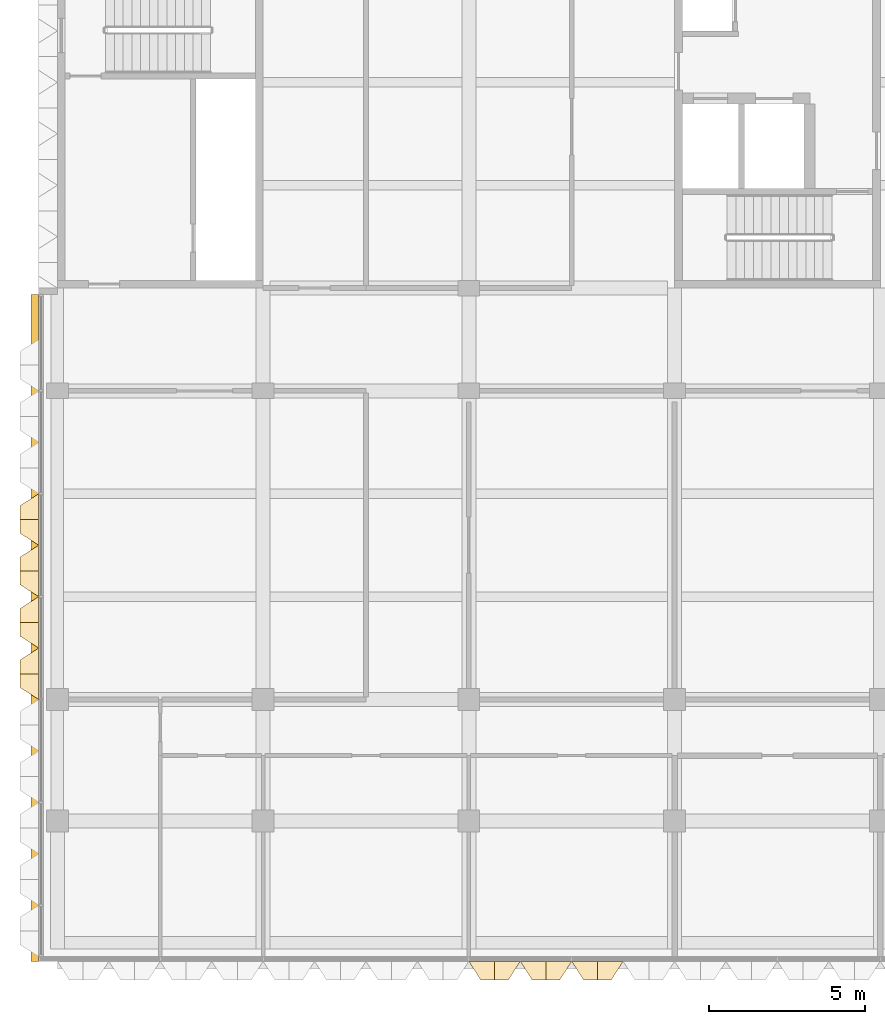
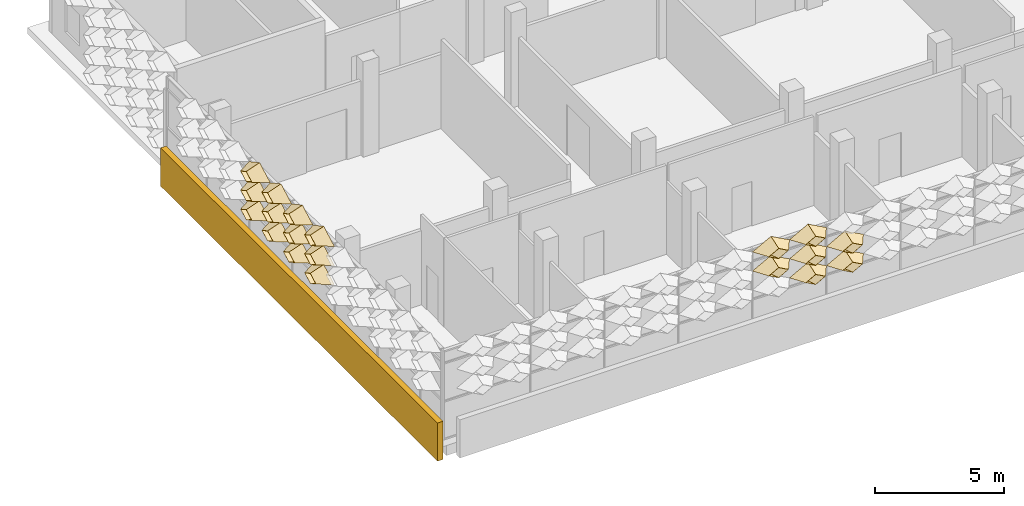
# One storey, part 39 of 85: 20 coverings.
"""IFC4 building model written with IfcOpenShell, lengths in metres."""

from ifc_helpers import new_model, entity, si_unit, direction, frame, frame_2d, origin, place, context, subcontext, project, spatial, rectangle, extrude, material, layer, layer_set, type_object, element, save


model = new_model("IFC4")

# Units and contexts
model_context = context("Model", 3, precision=1e-05, world=origin(), true_north=direction((0.0, 1.0)))
body_context = subcontext(model_context, "Body", "Model", "MODEL_VIEW")
ifc_project = project(units=[si_unit("LENGTHUNIT", "METRE"), si_unit("AREAUNIT", "SQUARE_METRE"), si_unit("VOLUMEUNIT", "CUBIC_METRE"), si_unit("PLANEANGLEUNIT", "RADIAN"), si_unit("MASSUNIT", "GRAM", prefix="KILO")], contexts=[model_context])

# Site, building, storey
site_placement = place(None, origin())
site = spatial("IfcSite", under=ifc_project, at=site_placement, CompositionType="ELEMENT")
building_placement = place(site_placement, origin())
building = spatial("IfcBuilding", under=site, at=building_placement, Name="Lantern Court Research Institute", CompositionType="ELEMENT")
storey_placement = place(building_placement, frame((0.0, 0.0, 18.89990234375)))
storey = spatial("IfcBuildingStorey", under=building, at=storey_placement, Name="L04", CompositionType="ELEMENT", Elevation=18.89990234375)

# Coverings
ifc_material_1 = material(Name="Anodised aluminium", Category="aluminium")
ifc_layer_1 = layer(ifc_material_1, 0.01611328125)
ifc_layer_set_1 = layer_set([ifc_layer_1], Name="Anodised aluminium")
covering_type_1 = type_object("IfcCoveringType", Name="Fin cassette 1650 x 900 x 600 aluminium", PredefinedType="CLADDING", material=ifc_layer_set_1)
covering_1_placement = place(storey_placement, frame((15.675048828125, -8.39990234375, 2.25), z_axis=(0.0, -1.0, 0.0), x_axis=(1.0, 0.0, 0.0)))
cartesian_point_1 = entity("IfcCartesianPoint", [0.824951171875, 0.0])
cartesian_point_2 = entity("IfcCartesianPoint", [0.79150390625, 0.0])
cartesian_point_3 = entity("IfcCartesianPoint", [0.44189453125, 0.0])
cartesian_point_4 = entity("IfcCartesianPoint", [0.43359375, 0.0])
element("IfcCovering", 1, at=covering_1_placement, inside=storey, type_object=covering_type_1, Name="Fin cassette V4S-L04 3.10", PredefinedType="CLADDING", context=body_context, shape_type="SweptSolid", body=[
    entity("IfcExtrudedAreaSolidTapered", entity("IfcArbitraryProfileDefWithVoids", "AREA", None, entity("IfcPolyline", [cartesian_point_1, entity("IfcCartesianPoint", [0.0, 0.449951171875]), entity("IfcCartesianPoint", [-0.824951171875, 0.0]), entity("IfcCartesianPoint", [0.0, -0.449951171875]), cartesian_point_1]), [entity("IfcPolyline", [cartesian_point_2, entity("IfcCartesianPoint", [0.0, 0.431884765625]), entity("IfcCartesianPoint", [-0.79150390625, 0.0]), entity("IfcCartesianPoint", [0.0, -0.431884765625]), cartesian_point_2])]), entity("IfcAxis2Placement3D", entity("IfcCartesianPoint", [0.0, 0.0, 0.0])), entity("IfcDirection", [0.0, 0.0, 1.0]), 0.60009765625, entity("IfcArbitraryProfileDefWithVoids", "AREA", None, entity("IfcPolyline", [cartesian_point_3, entity("IfcCartesianPoint", [0.0, 0.240966796875]), entity("IfcCartesianPoint", [-0.44189453125, 0.0]), entity("IfcCartesianPoint", [0.0, -0.240966796875]), cartesian_point_3]), [entity("IfcPolyline", [cartesian_point_4, entity("IfcCartesianPoint", [0.0, 0.236572265625]), entity("IfcCartesianPoint", [-0.43359375, 0.0]), entity("IfcCartesianPoint", [0.0, -0.236572265625]), cartesian_point_4])])),
])
covering_2_placement = place(storey_placement, frame((17.324951171875, -8.39990234375, 2.25), z_axis=(0.0, -1.0, 0.0), x_axis=(1.0, 0.0, 0.0)))
cartesian_point_5 = entity("IfcCartesianPoint", [0.824951171875, 0.0])
cartesian_point_6 = entity("IfcCartesianPoint", [0.79150390625, 0.0])
cartesian_point_7 = entity("IfcCartesianPoint", [0.44189453125, 0.0])
cartesian_point_8 = entity("IfcCartesianPoint", [0.43359375, 0.0])
element("IfcCovering", 2, at=covering_2_placement, inside=storey, type_object=covering_type_1, Name="Fin cassette V4S-L04 3.11", PredefinedType="CLADDING", context=body_context, shape_type="SweptSolid", body=[
    entity("IfcExtrudedAreaSolidTapered", entity("IfcArbitraryProfileDefWithVoids", "AREA", None, entity("IfcPolyline", [cartesian_point_5, entity("IfcCartesianPoint", [0.0, 0.449951171875]), entity("IfcCartesianPoint", [-0.824951171875, 0.0]), entity("IfcCartesianPoint", [0.0, -0.449951171875]), cartesian_point_5]), [entity("IfcPolyline", [cartesian_point_6, entity("IfcCartesianPoint", [0.0, 0.431884765625]), entity("IfcCartesianPoint", [-0.79150390625, 0.0]), entity("IfcCartesianPoint", [0.0, -0.431884765625]), cartesian_point_6])]), entity("IfcAxis2Placement3D", entity("IfcCartesianPoint", [0.0, 0.0, 0.0])), entity("IfcDirection", [0.0, 0.0, 1.0]), 0.60009765625, entity("IfcArbitraryProfileDefWithVoids", "AREA", None, entity("IfcPolyline", [cartesian_point_7, entity("IfcCartesianPoint", [0.0, 0.240966796875]), entity("IfcCartesianPoint", [-0.44189453125, 0.0]), entity("IfcCartesianPoint", [0.0, -0.240966796875]), cartesian_point_7]), [entity("IfcPolyline", [cartesian_point_8, entity("IfcCartesianPoint", [0.0, 0.236572265625]), entity("IfcCartesianPoint", [-0.43359375, 0.0]), entity("IfcCartesianPoint", [0.0, -0.236572265625]), cartesian_point_8])])),
])
covering_3_placement = place(storey_placement, frame((14.02490234375, -8.39990234375, 3.150146484375), z_axis=(0.0, -1.0, 0.0), x_axis=(1.0, 0.0, 0.0)))
cartesian_point_9 = entity("IfcCartesianPoint", [0.824951171875, 0.0])
cartesian_point_10 = entity("IfcCartesianPoint", [0.79150390625, 0.0])
cartesian_point_11 = entity("IfcCartesianPoint", [0.44189453125, 0.0])
cartesian_point_12 = entity("IfcCartesianPoint", [0.43359375, 0.0])
element("IfcCovering", 3, at=covering_3_placement, inside=storey, type_object=covering_type_1, Name="Fin cassette V4S-L04 4.9", PredefinedType="CLADDING", context=body_context, shape_type="SweptSolid", body=[
    entity("IfcExtrudedAreaSolidTapered", entity("IfcArbitraryProfileDefWithVoids", "AREA", None, entity("IfcPolyline", [cartesian_point_9, entity("IfcCartesianPoint", [0.0, 0.449951171875]), entity("IfcCartesianPoint", [-0.824951171875, 0.0]), entity("IfcCartesianPoint", [0.0, -0.449951171875]), cartesian_point_9]), [entity("IfcPolyline", [cartesian_point_10, entity("IfcCartesianPoint", [0.0, 0.431884765625]), entity("IfcCartesianPoint", [-0.79150390625, 0.0]), entity("IfcCartesianPoint", [0.0, -0.431884765625]), cartesian_point_10])]), entity("IfcAxis2Placement3D", entity("IfcCartesianPoint", [0.0, 0.0, 0.0])), entity("IfcDirection", [0.0, 0.0, 1.0]), 0.60009765625, entity("IfcArbitraryProfileDefWithVoids", "AREA", None, entity("IfcPolyline", [cartesian_point_11, entity("IfcCartesianPoint", [0.0, 0.240966796875]), entity("IfcCartesianPoint", [-0.44189453125, 0.0]), entity("IfcCartesianPoint", [0.0, -0.240966796875]), cartesian_point_11]), [entity("IfcPolyline", [cartesian_point_12, entity("IfcCartesianPoint", [0.0, 0.236572265625]), entity("IfcCartesianPoint", [-0.43359375, 0.0]), entity("IfcCartesianPoint", [0.0, -0.236572265625]), cartesian_point_12])])),
])
covering_4_placement = place(storey_placement, frame((15.675048828125, -8.39990234375, 3.150146484375), z_axis=(0.0, -1.0, 0.0), x_axis=(1.0, 0.0, 0.0)))
cartesian_point_13 = entity("IfcCartesianPoint", [0.824951171875, 0.0])
cartesian_point_14 = entity("IfcCartesianPoint", [0.79150390625, 0.0])
cartesian_point_15 = entity("IfcCartesianPoint", [0.44189453125, 0.0])
cartesian_point_16 = entity("IfcCartesianPoint", [0.43359375, 0.0])
element("IfcCovering", 4, at=covering_4_placement, inside=storey, type_object=covering_type_1, Name="Fin cassette V4S-L04 4.10", PredefinedType="CLADDING", context=body_context, shape_type="SweptSolid", body=[
    entity("IfcExtrudedAreaSolidTapered", entity("IfcArbitraryProfileDefWithVoids", "AREA", None, entity("IfcPolyline", [cartesian_point_13, entity("IfcCartesianPoint", [0.0, 0.449951171875]), entity("IfcCartesianPoint", [-0.824951171875, 0.0]), entity("IfcCartesianPoint", [0.0, -0.449951171875]), cartesian_point_13]), [entity("IfcPolyline", [cartesian_point_14, entity("IfcCartesianPoint", [0.0, 0.431884765625]), entity("IfcCartesianPoint", [-0.79150390625, 0.0]), entity("IfcCartesianPoint", [0.0, -0.431884765625]), cartesian_point_14])]), entity("IfcAxis2Placement3D", entity("IfcCartesianPoint", [0.0, 0.0, 0.0])), entity("IfcDirection", [0.0, 0.0, 1.0]), 0.60009765625, entity("IfcArbitraryProfileDefWithVoids", "AREA", None, entity("IfcPolyline", [cartesian_point_15, entity("IfcCartesianPoint", [0.0, 0.240966796875]), entity("IfcCartesianPoint", [-0.44189453125, 0.0]), entity("IfcCartesianPoint", [0.0, -0.240966796875]), cartesian_point_15]), [entity("IfcPolyline", [cartesian_point_16, entity("IfcCartesianPoint", [0.0, 0.236572265625]), entity("IfcCartesianPoint", [-0.43359375, 0.0]), entity("IfcCartesianPoint", [0.0, -0.236572265625]), cartesian_point_16])])),
])
covering_5_placement = place(storey_placement, frame((17.324951171875, -8.39990234375, 3.150146484375), z_axis=(0.0, -1.0, 0.0), x_axis=(1.0, 0.0, 0.0)))
cartesian_point_17 = entity("IfcCartesianPoint", [0.824951171875, 0.0])
cartesian_point_18 = entity("IfcCartesianPoint", [0.79150390625, 0.0])
cartesian_point_19 = entity("IfcCartesianPoint", [0.44189453125, 0.0])
cartesian_point_20 = entity("IfcCartesianPoint", [0.43359375, 0.0])
element("IfcCovering", 5, at=covering_5_placement, inside=storey, type_object=covering_type_1, Name="Fin cassette V4S-L04 4.11", PredefinedType="CLADDING", context=body_context, shape_type="SweptSolid", body=[
    entity("IfcExtrudedAreaSolidTapered", entity("IfcArbitraryProfileDefWithVoids", "AREA", None, entity("IfcPolyline", [cartesian_point_17, entity("IfcCartesianPoint", [0.0, 0.449951171875]), entity("IfcCartesianPoint", [-0.824951171875, 0.0]), entity("IfcCartesianPoint", [0.0, -0.449951171875]), cartesian_point_17]), [entity("IfcPolyline", [cartesian_point_18, entity("IfcCartesianPoint", [0.0, 0.431884765625]), entity("IfcCartesianPoint", [-0.79150390625, 0.0]), entity("IfcCartesianPoint", [0.0, -0.431884765625]), cartesian_point_18])]), entity("IfcAxis2Placement3D", entity("IfcCartesianPoint", [0.0, 0.0, 0.0])), entity("IfcDirection", [0.0, 0.0, 1.0]), 0.60009765625, entity("IfcArbitraryProfileDefWithVoids", "AREA", None, entity("IfcPolyline", [cartesian_point_19, entity("IfcCartesianPoint", [0.0, 0.240966796875]), entity("IfcCartesianPoint", [-0.44189453125, 0.0]), entity("IfcCartesianPoint", [0.0, -0.240966796875]), cartesian_point_19]), [entity("IfcPolyline", [cartesian_point_20, entity("IfcCartesianPoint", [0.0, 0.236572265625]), entity("IfcCartesianPoint", [-0.43359375, 0.0]), entity("IfcCartesianPoint", [0.0, -0.236572265625]), cartesian_point_20])])),
])
covering_6_placement = place(storey_placement, frame((14.02490234375, -8.39990234375, 4.050048828125), z_axis=(0.0, -1.0, 0.0), x_axis=(1.0, 0.0, 0.0)))
cartesian_point_21 = entity("IfcCartesianPoint", [0.824951171875, 0.0])
cartesian_point_22 = entity("IfcCartesianPoint", [0.79150390625, 0.0])
cartesian_point_23 = entity("IfcCartesianPoint", [0.44189453125, 0.0])
cartesian_point_24 = entity("IfcCartesianPoint", [0.43359375, 0.0])
element("IfcCovering", 6, at=covering_6_placement, inside=storey, type_object=covering_type_1, Name="Fin cassette V4S-L04 5.9", PredefinedType="CLADDING", context=body_context, shape_type="SweptSolid", body=[
    entity("IfcExtrudedAreaSolidTapered", entity("IfcArbitraryProfileDefWithVoids", "AREA", None, entity("IfcPolyline", [cartesian_point_21, entity("IfcCartesianPoint", [0.0, 0.449951171875]), entity("IfcCartesianPoint", [-0.824951171875, 0.0]), entity("IfcCartesianPoint", [0.0, -0.449951171875]), cartesian_point_21]), [entity("IfcPolyline", [cartesian_point_22, entity("IfcCartesianPoint", [0.0, 0.431884765625]), entity("IfcCartesianPoint", [-0.79150390625, 0.0]), entity("IfcCartesianPoint", [0.0, -0.431884765625]), cartesian_point_22])]), entity("IfcAxis2Placement3D", entity("IfcCartesianPoint", [0.0, 0.0, 0.0])), entity("IfcDirection", [0.0, 0.0, 1.0]), 0.60009765625, entity("IfcArbitraryProfileDefWithVoids", "AREA", None, entity("IfcPolyline", [cartesian_point_23, entity("IfcCartesianPoint", [0.0, 0.240966796875]), entity("IfcCartesianPoint", [-0.44189453125, 0.0]), entity("IfcCartesianPoint", [0.0, -0.240966796875]), cartesian_point_23]), [entity("IfcPolyline", [cartesian_point_24, entity("IfcCartesianPoint", [0.0, 0.236572265625]), entity("IfcCartesianPoint", [-0.43359375, 0.0]), entity("IfcCartesianPoint", [0.0, -0.236572265625]), cartesian_point_24])])),
])
covering_7_placement = place(storey_placement, frame((15.675048828125, -8.39990234375, 4.050048828125), z_axis=(0.0, -1.0, 0.0), x_axis=(1.0, 0.0, 0.0)))
cartesian_point_25 = entity("IfcCartesianPoint", [0.824951171875, 0.0])
cartesian_point_26 = entity("IfcCartesianPoint", [0.79150390625, 0.0])
cartesian_point_27 = entity("IfcCartesianPoint", [0.44189453125, 0.0])
cartesian_point_28 = entity("IfcCartesianPoint", [0.43359375, 0.0])
element("IfcCovering", 7, at=covering_7_placement, inside=storey, type_object=covering_type_1, Name="Fin cassette V4S-L04 5.10", PredefinedType="CLADDING", context=body_context, shape_type="SweptSolid", body=[
    entity("IfcExtrudedAreaSolidTapered", entity("IfcArbitraryProfileDefWithVoids", "AREA", None, entity("IfcPolyline", [cartesian_point_25, entity("IfcCartesianPoint", [0.0, 0.449951171875]), entity("IfcCartesianPoint", [-0.824951171875, 0.0]), entity("IfcCartesianPoint", [0.0, -0.449951171875]), cartesian_point_25]), [entity("IfcPolyline", [cartesian_point_26, entity("IfcCartesianPoint", [0.0, 0.431884765625]), entity("IfcCartesianPoint", [-0.79150390625, 0.0]), entity("IfcCartesianPoint", [0.0, -0.431884765625]), cartesian_point_26])]), entity("IfcAxis2Placement3D", entity("IfcCartesianPoint", [0.0, 0.0, 0.0])), entity("IfcDirection", [0.0, 0.0, 1.0]), 0.60009765625, entity("IfcArbitraryProfileDefWithVoids", "AREA", None, entity("IfcPolyline", [cartesian_point_27, entity("IfcCartesianPoint", [0.0, 0.240966796875]), entity("IfcCartesianPoint", [-0.44189453125, 0.0]), entity("IfcCartesianPoint", [0.0, -0.240966796875]), cartesian_point_27]), [entity("IfcPolyline", [cartesian_point_28, entity("IfcCartesianPoint", [0.0, 0.236572265625]), entity("IfcCartesianPoint", [-0.43359375, 0.0]), entity("IfcCartesianPoint", [0.0, -0.236572265625]), cartesian_point_28])])),
])
covering_8_placement = place(storey_placement, frame((-0.60009765625, 0.824951171875, 2.25), z_axis=(-1.0, 0.0, 0.0), x_axis=(0.0, -1.0, 0.0)))
cartesian_point_29 = entity("IfcCartesianPoint", [0.824951171875, 0.0])
cartesian_point_30 = entity("IfcCartesianPoint", [0.79150390625, 0.0])
cartesian_point_31 = entity("IfcCartesianPoint", [0.44189453125, 0.0])
cartesian_point_32 = entity("IfcCartesianPoint", [0.43359375, 0.0])
element("IfcCovering", 8, at=covering_8_placement, inside=storey, type_object=covering_type_1, Name="Fin cassette V4W-L04 3.1", PredefinedType="CLADDING", context=body_context, shape_type="SweptSolid", body=[
    entity("IfcExtrudedAreaSolidTapered", entity("IfcArbitraryProfileDefWithVoids", "AREA", None, entity("IfcPolyline", [cartesian_point_29, entity("IfcCartesianPoint", [0.0, 0.449951171875]), entity("IfcCartesianPoint", [-0.824951171875, 0.0]), entity("IfcCartesianPoint", [0.0, -0.449951171875]), cartesian_point_29]), [entity("IfcPolyline", [cartesian_point_30, entity("IfcCartesianPoint", [0.0, 0.431884765625]), entity("IfcCartesianPoint", [-0.79150390625, 0.0]), entity("IfcCartesianPoint", [0.0, -0.431884765625]), cartesian_point_30])]), entity("IfcAxis2Placement3D", entity("IfcCartesianPoint", [0.0, 0.0, 0.0])), entity("IfcDirection", [0.0, 0.0, 1.0]), 0.60009765625, entity("IfcArbitraryProfileDefWithVoids", "AREA", None, entity("IfcPolyline", [cartesian_point_31, entity("IfcCartesianPoint", [0.0, 0.240966796875]), entity("IfcCartesianPoint", [-0.44189453125, 0.0]), entity("IfcCartesianPoint", [0.0, -0.240966796875]), cartesian_point_31]), [entity("IfcPolyline", [cartesian_point_32, entity("IfcCartesianPoint", [0.0, 0.236572265625]), entity("IfcCartesianPoint", [-0.43359375, 0.0]), entity("IfcCartesianPoint", [0.0, -0.236572265625]), cartesian_point_32])])),
])
covering_9_placement = place(storey_placement, frame((-0.60009765625, 2.47509765625, 2.25), z_axis=(-1.0, 0.0, 0.0), x_axis=(0.0, -1.0, 0.0)))
cartesian_point_33 = entity("IfcCartesianPoint", [0.824951171875, 0.0])
cartesian_point_34 = entity("IfcCartesianPoint", [0.79150390625, 0.0])
cartesian_point_35 = entity("IfcCartesianPoint", [0.44189453125, 0.0])
cartesian_point_36 = entity("IfcCartesianPoint", [0.43359375, 0.0])
element("IfcCovering", 9, at=covering_9_placement, inside=storey, type_object=covering_type_1, Name="Fin cassette V4W-L04 3.2", PredefinedType="CLADDING", context=body_context, shape_type="SweptSolid", body=[
    entity("IfcExtrudedAreaSolidTapered", entity("IfcArbitraryProfileDefWithVoids", "AREA", None, entity("IfcPolyline", [cartesian_point_33, entity("IfcCartesianPoint", [0.0, 0.449951171875]), entity("IfcCartesianPoint", [-0.824951171875, 0.0]), entity("IfcCartesianPoint", [0.0, -0.449951171875]), cartesian_point_33]), [entity("IfcPolyline", [cartesian_point_34, entity("IfcCartesianPoint", [0.0, 0.431884765625]), entity("IfcCartesianPoint", [-0.79150390625, 0.0]), entity("IfcCartesianPoint", [0.0, -0.431884765625]), cartesian_point_34])]), entity("IfcAxis2Placement3D", entity("IfcCartesianPoint", [0.0, 0.0, 0.0])), entity("IfcDirection", [0.0, 0.0, 1.0]), 0.60009765625, entity("IfcArbitraryProfileDefWithVoids", "AREA", None, entity("IfcPolyline", [cartesian_point_35, entity("IfcCartesianPoint", [0.0, 0.240966796875]), entity("IfcCartesianPoint", [-0.44189453125, 0.0]), entity("IfcCartesianPoint", [0.0, -0.240966796875]), cartesian_point_35]), [entity("IfcPolyline", [cartesian_point_36, entity("IfcCartesianPoint", [0.0, 0.236572265625]), entity("IfcCartesianPoint", [-0.43359375, 0.0]), entity("IfcCartesianPoint", [0.0, -0.236572265625]), cartesian_point_36])])),
])
covering_10_placement = place(storey_placement, frame((-0.60009765625, 4.125, 2.25), z_axis=(-1.0, 0.0, 0.0), x_axis=(0.0, -1.0, 0.0)))
cartesian_point_37 = entity("IfcCartesianPoint", [0.824951171875, 0.0])
cartesian_point_38 = entity("IfcCartesianPoint", [0.79150390625, 0.0])
cartesian_point_39 = entity("IfcCartesianPoint", [0.44189453125, 0.0])
cartesian_point_40 = entity("IfcCartesianPoint", [0.43359375, 0.0])
element("IfcCovering", 10, at=covering_10_placement, inside=storey, type_object=covering_type_1, Name="Fin cassette V4W-L04 3.3", PredefinedType="CLADDING", context=body_context, shape_type="SweptSolid", body=[
    entity("IfcExtrudedAreaSolidTapered", entity("IfcArbitraryProfileDefWithVoids", "AREA", None, entity("IfcPolyline", [cartesian_point_37, entity("IfcCartesianPoint", [0.0, 0.449951171875]), entity("IfcCartesianPoint", [-0.824951171875, 0.0]), entity("IfcCartesianPoint", [0.0, -0.449951171875]), cartesian_point_37]), [entity("IfcPolyline", [cartesian_point_38, entity("IfcCartesianPoint", [0.0, 0.431884765625]), entity("IfcCartesianPoint", [-0.79150390625, 0.0]), entity("IfcCartesianPoint", [0.0, -0.431884765625]), cartesian_point_38])]), entity("IfcAxis2Placement3D", entity("IfcCartesianPoint", [0.0, 0.0, 0.0])), entity("IfcDirection", [0.0, 0.0, 1.0]), 0.60009765625, entity("IfcArbitraryProfileDefWithVoids", "AREA", None, entity("IfcPolyline", [cartesian_point_39, entity("IfcCartesianPoint", [0.0, 0.240966796875]), entity("IfcCartesianPoint", [-0.44189453125, 0.0]), entity("IfcCartesianPoint", [0.0, -0.240966796875]), cartesian_point_39]), [entity("IfcPolyline", [cartesian_point_40, entity("IfcCartesianPoint", [0.0, 0.236572265625]), entity("IfcCartesianPoint", [-0.43359375, 0.0]), entity("IfcCartesianPoint", [0.0, -0.236572265625]), cartesian_point_40])])),
])
covering_11_placement = place(storey_placement, frame((-0.60009765625, 5.77490234375, 2.25), z_axis=(-1.0, 0.0, 0.0), x_axis=(0.0, -1.0, 0.0)))
cartesian_point_41 = entity("IfcCartesianPoint", [0.824951171875, 0.0])
cartesian_point_42 = entity("IfcCartesianPoint", [0.79150390625, 0.0])
cartesian_point_43 = entity("IfcCartesianPoint", [0.44189453125, 0.0])
cartesian_point_44 = entity("IfcCartesianPoint", [0.43359375, 0.0])
element("IfcCovering", 11, at=covering_11_placement, inside=storey, type_object=covering_type_1, Name="Fin cassette V4W-L04 3.4", PredefinedType="CLADDING", context=body_context, shape_type="SweptSolid", body=[
    entity("IfcExtrudedAreaSolidTapered", entity("IfcArbitraryProfileDefWithVoids", "AREA", None, entity("IfcPolyline", [cartesian_point_41, entity("IfcCartesianPoint", [0.0, 0.449951171875]), entity("IfcCartesianPoint", [-0.824951171875, 0.0]), entity("IfcCartesianPoint", [0.0, -0.449951171875]), cartesian_point_41]), [entity("IfcPolyline", [cartesian_point_42, entity("IfcCartesianPoint", [0.0, 0.431884765625]), entity("IfcCartesianPoint", [-0.79150390625, 0.0]), entity("IfcCartesianPoint", [0.0, -0.431884765625]), cartesian_point_42])]), entity("IfcAxis2Placement3D", entity("IfcCartesianPoint", [0.0, 0.0, 0.0])), entity("IfcDirection", [0.0, 0.0, 1.0]), 0.60009765625, entity("IfcArbitraryProfileDefWithVoids", "AREA", None, entity("IfcPolyline", [cartesian_point_43, entity("IfcCartesianPoint", [0.0, 0.240966796875]), entity("IfcCartesianPoint", [-0.44189453125, 0.0]), entity("IfcCartesianPoint", [0.0, -0.240966796875]), cartesian_point_43]), [entity("IfcPolyline", [cartesian_point_44, entity("IfcCartesianPoint", [0.0, 0.236572265625]), entity("IfcCartesianPoint", [-0.43359375, 0.0]), entity("IfcCartesianPoint", [0.0, -0.236572265625]), cartesian_point_44])])),
])
covering_12_placement = place(storey_placement, frame((-0.60009765625, 0.824951171875, 3.150146484375), z_axis=(-1.0, 0.0, 0.0), x_axis=(0.0, -1.0, 0.0)))
cartesian_point_45 = entity("IfcCartesianPoint", [0.824951171875, 0.0])
cartesian_point_46 = entity("IfcCartesianPoint", [0.79150390625, 0.0])
cartesian_point_47 = entity("IfcCartesianPoint", [0.44189453125, 0.0])
cartesian_point_48 = entity("IfcCartesianPoint", [0.43359375, 0.0])
element("IfcCovering", 12, at=covering_12_placement, inside=storey, type_object=covering_type_1, Name="Fin cassette V4W-L04 4.1", PredefinedType="CLADDING", context=body_context, shape_type="SweptSolid", body=[
    entity("IfcExtrudedAreaSolidTapered", entity("IfcArbitraryProfileDefWithVoids", "AREA", None, entity("IfcPolyline", [cartesian_point_45, entity("IfcCartesianPoint", [0.0, 0.449951171875]), entity("IfcCartesianPoint", [-0.824951171875, 0.0]), entity("IfcCartesianPoint", [0.0, -0.449951171875]), cartesian_point_45]), [entity("IfcPolyline", [cartesian_point_46, entity("IfcCartesianPoint", [0.0, 0.431884765625]), entity("IfcCartesianPoint", [-0.79150390625, 0.0]), entity("IfcCartesianPoint", [0.0, -0.431884765625]), cartesian_point_46])]), entity("IfcAxis2Placement3D", entity("IfcCartesianPoint", [0.0, 0.0, 0.0])), entity("IfcDirection", [0.0, 0.0, 1.0]), 0.60009765625, entity("IfcArbitraryProfileDefWithVoids", "AREA", None, entity("IfcPolyline", [cartesian_point_47, entity("IfcCartesianPoint", [0.0, 0.240966796875]), entity("IfcCartesianPoint", [-0.44189453125, 0.0]), entity("IfcCartesianPoint", [0.0, -0.240966796875]), cartesian_point_47]), [entity("IfcPolyline", [cartesian_point_48, entity("IfcCartesianPoint", [0.0, 0.236572265625]), entity("IfcCartesianPoint", [-0.43359375, 0.0]), entity("IfcCartesianPoint", [0.0, -0.236572265625]), cartesian_point_48])])),
])
covering_13_placement = place(storey_placement, frame((-0.60009765625, 2.47509765625, 3.150146484375), z_axis=(-1.0, 0.0, 0.0), x_axis=(0.0, -1.0, 0.0)))
cartesian_point_49 = entity("IfcCartesianPoint", [0.824951171875, 0.0])
cartesian_point_50 = entity("IfcCartesianPoint", [0.79150390625, 0.0])
cartesian_point_51 = entity("IfcCartesianPoint", [0.44189453125, 0.0])
cartesian_point_52 = entity("IfcCartesianPoint", [0.43359375, 0.0])
element("IfcCovering", 13, at=covering_13_placement, inside=storey, type_object=covering_type_1, Name="Fin cassette V4W-L04 4.2", PredefinedType="CLADDING", context=body_context, shape_type="SweptSolid", body=[
    entity("IfcExtrudedAreaSolidTapered", entity("IfcArbitraryProfileDefWithVoids", "AREA", None, entity("IfcPolyline", [cartesian_point_49, entity("IfcCartesianPoint", [0.0, 0.449951171875]), entity("IfcCartesianPoint", [-0.824951171875, 0.0]), entity("IfcCartesianPoint", [0.0, -0.449951171875]), cartesian_point_49]), [entity("IfcPolyline", [cartesian_point_50, entity("IfcCartesianPoint", [0.0, 0.431884765625]), entity("IfcCartesianPoint", [-0.79150390625, 0.0]), entity("IfcCartesianPoint", [0.0, -0.431884765625]), cartesian_point_50])]), entity("IfcAxis2Placement3D", entity("IfcCartesianPoint", [0.0, 0.0, 0.0])), entity("IfcDirection", [0.0, 0.0, 1.0]), 0.60009765625, entity("IfcArbitraryProfileDefWithVoids", "AREA", None, entity("IfcPolyline", [cartesian_point_51, entity("IfcCartesianPoint", [0.0, 0.240966796875]), entity("IfcCartesianPoint", [-0.44189453125, 0.0]), entity("IfcCartesianPoint", [0.0, -0.240966796875]), cartesian_point_51]), [entity("IfcPolyline", [cartesian_point_52, entity("IfcCartesianPoint", [0.0, 0.236572265625]), entity("IfcCartesianPoint", [-0.43359375, 0.0]), entity("IfcCartesianPoint", [0.0, -0.236572265625]), cartesian_point_52])])),
])
covering_14_placement = place(storey_placement, frame((-0.60009765625, 4.125, 3.150146484375), z_axis=(-1.0, 0.0, 0.0), x_axis=(0.0, -1.0, 0.0)))
cartesian_point_53 = entity("IfcCartesianPoint", [0.824951171875, 0.0])
cartesian_point_54 = entity("IfcCartesianPoint", [0.79150390625, 0.0])
cartesian_point_55 = entity("IfcCartesianPoint", [0.44189453125, 0.0])
cartesian_point_56 = entity("IfcCartesianPoint", [0.43359375, 0.0])
element("IfcCovering", 14, at=covering_14_placement, inside=storey, type_object=covering_type_1, Name="Fin cassette V4W-L04 4.3", PredefinedType="CLADDING", context=body_context, shape_type="SweptSolid", body=[
    entity("IfcExtrudedAreaSolidTapered", entity("IfcArbitraryProfileDefWithVoids", "AREA", None, entity("IfcPolyline", [cartesian_point_53, entity("IfcCartesianPoint", [0.0, 0.449951171875]), entity("IfcCartesianPoint", [-0.824951171875, 0.0]), entity("IfcCartesianPoint", [0.0, -0.449951171875]), cartesian_point_53]), [entity("IfcPolyline", [cartesian_point_54, entity("IfcCartesianPoint", [0.0, 0.431884765625]), entity("IfcCartesianPoint", [-0.79150390625, 0.0]), entity("IfcCartesianPoint", [0.0, -0.431884765625]), cartesian_point_54])]), entity("IfcAxis2Placement3D", entity("IfcCartesianPoint", [0.0, 0.0, 0.0])), entity("IfcDirection", [0.0, 0.0, 1.0]), 0.60009765625, entity("IfcArbitraryProfileDefWithVoids", "AREA", None, entity("IfcPolyline", [cartesian_point_55, entity("IfcCartesianPoint", [0.0, 0.240966796875]), entity("IfcCartesianPoint", [-0.44189453125, 0.0]), entity("IfcCartesianPoint", [0.0, -0.240966796875]), cartesian_point_55]), [entity("IfcPolyline", [cartesian_point_56, entity("IfcCartesianPoint", [0.0, 0.236572265625]), entity("IfcCartesianPoint", [-0.43359375, 0.0]), entity("IfcCartesianPoint", [0.0, -0.236572265625]), cartesian_point_56])])),
])
covering_15_placement = place(storey_placement, frame((-0.60009765625, 5.77490234375, 3.150146484375), z_axis=(-1.0, 0.0, 0.0), x_axis=(0.0, -1.0, 0.0)))
cartesian_point_57 = entity("IfcCartesianPoint", [0.824951171875, 0.0])
cartesian_point_58 = entity("IfcCartesianPoint", [0.79150390625, 0.0])
cartesian_point_59 = entity("IfcCartesianPoint", [0.44189453125, 0.0])
cartesian_point_60 = entity("IfcCartesianPoint", [0.43359375, 0.0])
element("IfcCovering", 15, at=covering_15_placement, inside=storey, type_object=covering_type_1, Name="Fin cassette V4W-L04 4.4", PredefinedType="CLADDING", context=body_context, shape_type="SweptSolid", body=[
    entity("IfcExtrudedAreaSolidTapered", entity("IfcArbitraryProfileDefWithVoids", "AREA", None, entity("IfcPolyline", [cartesian_point_57, entity("IfcCartesianPoint", [0.0, 0.449951171875]), entity("IfcCartesianPoint", [-0.824951171875, 0.0]), entity("IfcCartesianPoint", [0.0, -0.449951171875]), cartesian_point_57]), [entity("IfcPolyline", [cartesian_point_58, entity("IfcCartesianPoint", [0.0, 0.431884765625]), entity("IfcCartesianPoint", [-0.79150390625, 0.0]), entity("IfcCartesianPoint", [0.0, -0.431884765625]), cartesian_point_58])]), entity("IfcAxis2Placement3D", entity("IfcCartesianPoint", [0.0, 0.0, 0.0])), entity("IfcDirection", [0.0, 0.0, 1.0]), 0.60009765625, entity("IfcArbitraryProfileDefWithVoids", "AREA", None, entity("IfcPolyline", [cartesian_point_59, entity("IfcCartesianPoint", [0.0, 0.240966796875]), entity("IfcCartesianPoint", [-0.44189453125, 0.0]), entity("IfcCartesianPoint", [0.0, -0.240966796875]), cartesian_point_59]), [entity("IfcPolyline", [cartesian_point_60, entity("IfcCartesianPoint", [0.0, 0.236572265625]), entity("IfcCartesianPoint", [-0.43359375, 0.0]), entity("IfcCartesianPoint", [0.0, -0.236572265625]), cartesian_point_60])])),
])
covering_16_placement = place(storey_placement, frame((-0.60009765625, 0.824951171875, 4.050048828125), z_axis=(-1.0, 0.0, 0.0), x_axis=(0.0, -1.0, 0.0)))
cartesian_point_61 = entity("IfcCartesianPoint", [0.824951171875, 0.0])
cartesian_point_62 = entity("IfcCartesianPoint", [0.79150390625, 0.0])
cartesian_point_63 = entity("IfcCartesianPoint", [0.44189453125, 0.0])
cartesian_point_64 = entity("IfcCartesianPoint", [0.43359375, 0.0])
element("IfcCovering", 16, at=covering_16_placement, inside=storey, type_object=covering_type_1, Name="Fin cassette V4W-L04 5.1", PredefinedType="CLADDING", context=body_context, shape_type="SweptSolid", body=[
    entity("IfcExtrudedAreaSolidTapered", entity("IfcArbitraryProfileDefWithVoids", "AREA", None, entity("IfcPolyline", [cartesian_point_61, entity("IfcCartesianPoint", [0.0, 0.449951171875]), entity("IfcCartesianPoint", [-0.824951171875, 0.0]), entity("IfcCartesianPoint", [0.0, -0.449951171875]), cartesian_point_61]), [entity("IfcPolyline", [cartesian_point_62, entity("IfcCartesianPoint", [0.0, 0.431884765625]), entity("IfcCartesianPoint", [-0.79150390625, 0.0]), entity("IfcCartesianPoint", [0.0, -0.431884765625]), cartesian_point_62])]), entity("IfcAxis2Placement3D", entity("IfcCartesianPoint", [0.0, 0.0, 0.0])), entity("IfcDirection", [0.0, 0.0, 1.0]), 0.60009765625, entity("IfcArbitraryProfileDefWithVoids", "AREA", None, entity("IfcPolyline", [cartesian_point_63, entity("IfcCartesianPoint", [0.0, 0.240966796875]), entity("IfcCartesianPoint", [-0.44189453125, 0.0]), entity("IfcCartesianPoint", [0.0, -0.240966796875]), cartesian_point_63]), [entity("IfcPolyline", [cartesian_point_64, entity("IfcCartesianPoint", [0.0, 0.236572265625]), entity("IfcCartesianPoint", [-0.43359375, 0.0]), entity("IfcCartesianPoint", [0.0, -0.236572265625]), cartesian_point_64])])),
])
covering_17_placement = place(storey_placement, frame((-0.60009765625, 2.47509765625, 4.050048828125), z_axis=(-1.0, 0.0, 0.0), x_axis=(0.0, -1.0, 0.0)))
cartesian_point_65 = entity("IfcCartesianPoint", [0.824951171875, 0.0])
cartesian_point_66 = entity("IfcCartesianPoint", [0.79150390625, 0.0])
cartesian_point_67 = entity("IfcCartesianPoint", [0.44189453125, 0.0])
cartesian_point_68 = entity("IfcCartesianPoint", [0.43359375, 0.0])
element("IfcCovering", 17, at=covering_17_placement, inside=storey, type_object=covering_type_1, Name="Fin cassette V4W-L04 5.2", PredefinedType="CLADDING", context=body_context, shape_type="SweptSolid", body=[
    entity("IfcExtrudedAreaSolidTapered", entity("IfcArbitraryProfileDefWithVoids", "AREA", None, entity("IfcPolyline", [cartesian_point_65, entity("IfcCartesianPoint", [0.0, 0.449951171875]), entity("IfcCartesianPoint", [-0.824951171875, 0.0]), entity("IfcCartesianPoint", [0.0, -0.449951171875]), cartesian_point_65]), [entity("IfcPolyline", [cartesian_point_66, entity("IfcCartesianPoint", [0.0, 0.431884765625]), entity("IfcCartesianPoint", [-0.79150390625, 0.0]), entity("IfcCartesianPoint", [0.0, -0.431884765625]), cartesian_point_66])]), entity("IfcAxis2Placement3D", entity("IfcCartesianPoint", [0.0, 0.0, 0.0])), entity("IfcDirection", [0.0, 0.0, 1.0]), 0.60009765625, entity("IfcArbitraryProfileDefWithVoids", "AREA", None, entity("IfcPolyline", [cartesian_point_67, entity("IfcCartesianPoint", [0.0, 0.240966796875]), entity("IfcCartesianPoint", [-0.44189453125, 0.0]), entity("IfcCartesianPoint", [0.0, -0.240966796875]), cartesian_point_67]), [entity("IfcPolyline", [cartesian_point_68, entity("IfcCartesianPoint", [0.0, 0.236572265625]), entity("IfcCartesianPoint", [-0.43359375, 0.0]), entity("IfcCartesianPoint", [0.0, -0.236572265625]), cartesian_point_68])])),
])
covering_18_placement = place(storey_placement, frame((-0.60009765625, 4.125, 4.050048828125), z_axis=(-1.0, 0.0, 0.0), x_axis=(0.0, -1.0, 0.0)))
cartesian_point_69 = entity("IfcCartesianPoint", [0.824951171875, 0.0])
cartesian_point_70 = entity("IfcCartesianPoint", [0.79150390625, 0.0])
cartesian_point_71 = entity("IfcCartesianPoint", [0.44189453125, 0.0])
cartesian_point_72 = entity("IfcCartesianPoint", [0.43359375, 0.0])
element("IfcCovering", 18, at=covering_18_placement, inside=storey, type_object=covering_type_1, Name="Fin cassette V4W-L04 5.3", PredefinedType="CLADDING", context=body_context, shape_type="SweptSolid", body=[
    entity("IfcExtrudedAreaSolidTapered", entity("IfcArbitraryProfileDefWithVoids", "AREA", None, entity("IfcPolyline", [cartesian_point_69, entity("IfcCartesianPoint", [0.0, 0.449951171875]), entity("IfcCartesianPoint", [-0.824951171875, 0.0]), entity("IfcCartesianPoint", [0.0, -0.449951171875]), cartesian_point_69]), [entity("IfcPolyline", [cartesian_point_70, entity("IfcCartesianPoint", [0.0, 0.431884765625]), entity("IfcCartesianPoint", [-0.79150390625, 0.0]), entity("IfcCartesianPoint", [0.0, -0.431884765625]), cartesian_point_70])]), entity("IfcAxis2Placement3D", entity("IfcCartesianPoint", [0.0, 0.0, 0.0])), entity("IfcDirection", [0.0, 0.0, 1.0]), 0.60009765625, entity("IfcArbitraryProfileDefWithVoids", "AREA", None, entity("IfcPolyline", [cartesian_point_71, entity("IfcCartesianPoint", [0.0, 0.240966796875]), entity("IfcCartesianPoint", [-0.44189453125, 0.0]), entity("IfcCartesianPoint", [0.0, -0.240966796875]), cartesian_point_71]), [entity("IfcPolyline", [cartesian_point_72, entity("IfcCartesianPoint", [0.0, 0.236572265625]), entity("IfcCartesianPoint", [-0.43359375, 0.0]), entity("IfcCartesianPoint", [0.0, -0.236572265625]), cartesian_point_72])])),
])
covering_19_placement = place(storey_placement, frame((-0.60009765625, 5.77490234375, 4.050048828125), z_axis=(-1.0, 0.0, 0.0), x_axis=(0.0, -1.0, 0.0)))
cartesian_point_73 = entity("IfcCartesianPoint", [0.824951171875, 0.0])
cartesian_point_74 = entity("IfcCartesianPoint", [0.79150390625, 0.0])
cartesian_point_75 = entity("IfcCartesianPoint", [0.44189453125, 0.0])
cartesian_point_76 = entity("IfcCartesianPoint", [0.43359375, 0.0])
element("IfcCovering", 19, at=covering_19_placement, inside=storey, type_object=covering_type_1, Name="Fin cassette V4W-L04 5.4", PredefinedType="CLADDING", context=body_context, shape_type="SweptSolid", body=[
    entity("IfcExtrudedAreaSolidTapered", entity("IfcArbitraryProfileDefWithVoids", "AREA", None, entity("IfcPolyline", [cartesian_point_73, entity("IfcCartesianPoint", [0.0, 0.449951171875]), entity("IfcCartesianPoint", [-0.824951171875, 0.0]), entity("IfcCartesianPoint", [0.0, -0.449951171875]), cartesian_point_73]), [entity("IfcPolyline", [cartesian_point_74, entity("IfcCartesianPoint", [0.0, 0.431884765625]), entity("IfcCartesianPoint", [-0.79150390625, 0.0]), entity("IfcCartesianPoint", [0.0, -0.431884765625]), cartesian_point_74])]), entity("IfcAxis2Placement3D", entity("IfcCartesianPoint", [0.0, 0.0, 0.0])), entity("IfcDirection", [0.0, 0.0, 1.0]), 0.60009765625, entity("IfcArbitraryProfileDefWithVoids", "AREA", None, entity("IfcPolyline", [cartesian_point_75, entity("IfcCartesianPoint", [0.0, 0.240966796875]), entity("IfcCartesianPoint", [-0.44189453125, 0.0]), entity("IfcCartesianPoint", [0.0, -0.240966796875]), cartesian_point_75]), [entity("IfcPolyline", [cartesian_point_76, entity("IfcCartesianPoint", [0.0, 0.236572265625]), entity("IfcCartesianPoint", [-0.43359375, 0.0]), entity("IfcCartesianPoint", [0.0, -0.236572265625]), cartesian_point_76])])),
])
ifc_material_2 = material(Name="Aluminium composite panel with mineral wool insulation", Category="aluminium")
ifc_layer_2 = layer(ifc_material_2, 0.25)
ifc_layer_set_2 = layer_set([ifc_layer_2], Name="Aluminium composite panel with mineral wool insulation")
covering_type_2 = type_object("IfcCoveringType", Name="Oversail edge band 250 aluminium composite", PredefinedType="CLADDING", material=ifc_layer_set_2)
covering_20_placement = place(storey_placement, frame((-0.72509765625, -8.39990234375, -0.89990234375), z_axis=(0.0, 0.0, 1.0), x_axis=(0.0, 1.0, 0.0)))
element("IfcCovering", 20, at=covering_20_placement, inside=storey, type_object=covering_type_2, Name="Oversail edge band V4W 5", PredefinedType="CLADDING", context=body_context, shape_type="SweptSolid", body=[
    extrude(rectangle(XDim=21.39990234375, YDim=0.25, at=frame_2d((10.699951171875, 0.0))), origin(), (0.0, 0.0, 1.0), 1.800048828125),
])

save(model, "model.ifc")
